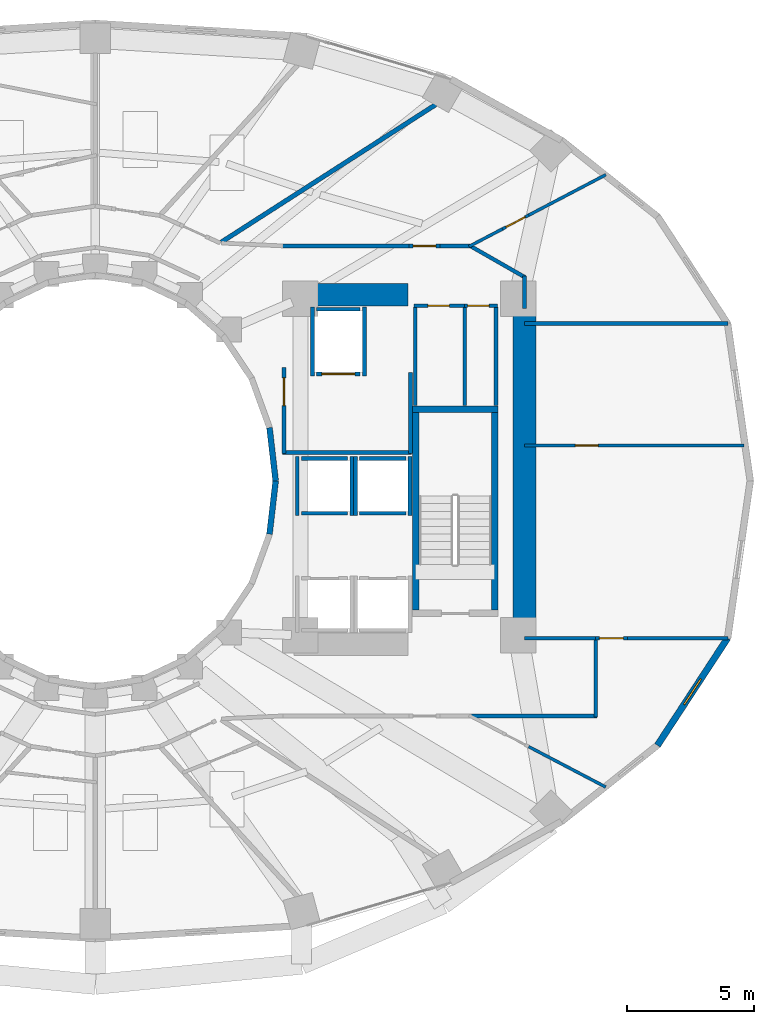
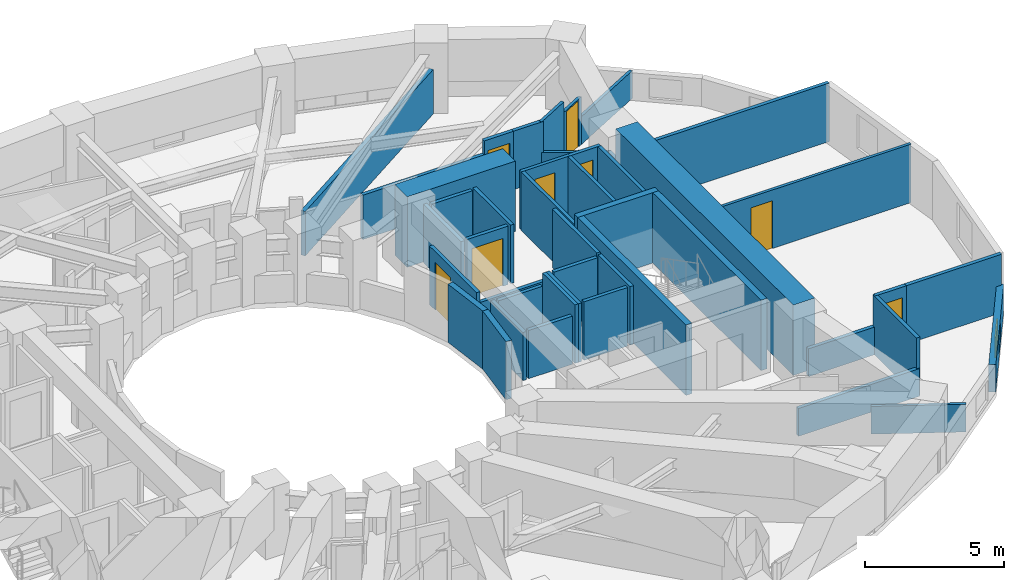
# One storey, part 13 of 17: 45 walls, 8 doors, 1 window, 9 openings.
"""IFC4 building model written with IfcOpenShell, lengths in metres."""

from ifc_helpers import new_model, si_unit, direction, frame, frame_2d, origin, place, context, subcontext, project, spatial, rectangle, extrude, material, layer, layer_set, type_object, element, fill, save


model = new_model("IFC4")

# Units and contexts
model_context = context("Model", 3, precision=1e-05, world=origin(), true_north=direction((0.0, 1.0)))
body_context = subcontext(model_context, "Body", "Model", "MODEL_VIEW")
ifc_project = project(units=[si_unit("LENGTHUNIT", "METRE"), si_unit("AREAUNIT", "SQUARE_METRE"), si_unit("VOLUMEUNIT", "CUBIC_METRE"), si_unit("PLANEANGLEUNIT", "RADIAN"), si_unit("MASSUNIT", "GRAM", prefix="KILO")], contexts=[model_context])

# Site, building, storey
site_placement = place(None, origin())
site = spatial("IfcSite", under=ifc_project, at=site_placement, CompositionType="ELEMENT")
building_placement = place(site_placement, origin())
building = spatial("IfcBuilding", under=site, at=building_placement, Name="Solvane Sanctuary Tower", CompositionType="ELEMENT")
storey_placement = place(building_placement, frame((0.0, 0.0, 52.39990234375)))
storey = spatial("IfcBuildingStorey", under=building, at=storey_placement, Name="L15", CompositionType="ELEMENT", Elevation=52.39990234375)

# Walls
ifc_material_1 = material(Name="Concrete C70/85", Category="concrete")
ifc_layer_1 = layer(ifc_material_1, 0.89990234375, Name="Concrete C70/85")
ifc_layer_set_1 = layer_set([ifc_layer_1], Name="Concrete C70/85")
wall_type_1 = type_object("IfcWallType", Name="Wall W-CORE-900", PredefinedType="SHEAR", material=ifc_layer_set_1)
wall_1_placement = place(storey_placement, frame((48.949951171875, 17.050048828125, 0.0), z_axis=(0.0, 0.0, 1.0), x_axis=(0.0, 1.0, 0.0)))
element("IfcWall", 1, at=wall_1_placement, inside=storey, type_object=wall_type_1, Name="L15 Core Shear Wall EC-E", PredefinedType="SHEAR", context=body_context, shape_type="SweptSolid", body=[
    extrude(rectangle(XDim=12.800048828125, YDim=0.89990234375, at=frame_2d((6.39990234375, 0.0))), origin(), (0.0, 0.0, 1.0), 3.10009765625),
])
wall_2_placement = place(storey_placement, frame((39.85009765625, 30.35009765625, 0.0), z_axis=(0.0, 0.0, 1.0), x_axis=(1.0, 0.0, 0.0)))
element("IfcWall", 2, at=wall_2_placement, inside=storey, type_object=wall_type_1, Name="L15 Core Shear Wall EC-N", PredefinedType="SHEAR", context=body_context, shape_type="SweptSolid", body=[
    extrude(rectangle(XDim=4.5, YDim=0.89990234375, at=frame_2d((2.25, 0.0))), origin(), (0.0, 0.0, 1.0), 3.10009765625),
])
ifc_material_2 = material(Name="Acoustic Gypsum Partition Board")
ifc_layer_2 = layer(ifc_material_2, 0.14990234375, Name="Acoustic Gypsum Partition Board")
ifc_layer_set_2 = layer_set([ifc_layer_2], Name="Acoustic Gypsum Partition Board")
wall_type_2 = type_object("IfcWallType", Name="Wall W-CORR-150", PredefinedType="PARTITIONING", material=ifc_layer_set_2)
wall_3_placement = place(storey_placement, frame((39.39990234375, 24.1201171875, 0.0), z_axis=(0.0, 0.0, 1.0), x_axis=(1.0, 0.0, 0.0)))
element("IfcWall", 3, at=wall_3_placement, inside=storey, type_object=wall_type_2, Name="L15 East Firefighting Lobby South Wall", PredefinedType="PARTITIONING", context=body_context, shape_type="SweptSolid", body=[
    extrude(rectangle(XDim=5.080078125, YDim=0.14990234375, at=frame_2d((2.5400390625, 0.0))), origin(), (0.0, 0.0, 1.0), 2.1201171875),
])
wall_4_placement = place(storey_placement, frame((44.449951171875, 24.080078125, 0.0), z_axis=(0.0, 0.0, 1.0), x_axis=(0.0, 1.0, 0.0)))
element("IfcWall", 4, at=wall_4_placement, inside=storey, type_object=wall_type_2, Name="L15 East Firefighting Lobby East Wall", PredefinedType="PARTITIONING", context=body_context, shape_type="SweptSolid", body=[
    extrude(rectangle(XDim=3.199951171875, YDim=0.14990234375, at=frame_2d((1.60009765625, 0.0))), origin(), (0.0, 0.0, 1.0), 2.5751953125),
])

# Wall, opening, door
wall_5_placement = place(storey_placement, frame((39.449951171875, 24.080078125, 0.0), z_axis=(0.0, 0.0, 1.0), x_axis=(0.0, 1.0, 0.0)))
wall_5 = element("IfcWall", 5, at=wall_5_placement, inside=storey, type_object=wall_type_2, Name="L15 East Firefighting Lobby West Wall", PredefinedType="PARTITIONING", context=body_context, shape_type="SweptSolid", body=[
    extrude(rectangle(XDim=3.39990234375, YDim=0.14990234375, at=frame_2d((1.699951171875, 0.0))), origin(), (0.0, 0.0, 1.0), 2.5751953125),
])
opening_1_placement = place(wall_5_placement, frame((1.893798828125, 0.0, 0.0)))
opening_1 = element("IfcOpeningElement", 6, at=opening_1_placement, cuts=wall_5, Name="Opening D-L15-05", PredefinedType="OPENING", context=body_context, shape_type="SweptSolid", body=[
    extrude(rectangle(XDim=1.10009765625, YDim=2.10009765625, at=frame_2d((0.550048828125, 1.050048828125))), frame((0.0, 0.0849609375, 0.0), z_axis=(0.0, -1.0, 0.0), x_axis=(1.0, 0.0, 0.0)), (0.0, 0.0, 1.0), 0.169921875),
])
ifc_material_3 = material(Name="Architectural Stainless Steel 316", Category="steel")
door_type_1 = type_object("IfcDoorType", Name="Door D-FFL", OperationType="NOTDEFINED", PredefinedType="DOOR", material=ifc_material_3)
door_1_placement = place(opening_1_placement, origin())
door_1 = element("IfcDoor", 7, at=door_1_placement, inside=storey, type_object=door_type_1, Name="L15 East Firefighting Lobby Fire Door", OperationType="SINGLE_SWING_RIGHT", OverallHeight=2.10009765625, OverallWidth=1.10009765625, PredefinedType="DOOR", context=body_context, shape_type="SweptSolid", body=[
    extrude(rectangle(XDim=1.10009765625, YDim=2.10009765625, at=frame_2d((0.550048828125, 1.050048828125))), frame((0.0, 0.02490234375, 0.0), z_axis=(0.0, -1.0, 0.0), x_axis=(1.0, 0.0, 0.0)), (0.0, 0.0, 1.0), 0.050048828125),
])
fill(opening_1, door_1)

# Wall
wall_6_placement = place(storey_placement, frame((48.949951171875, 16.788330078125, 0.0), z_axis=(0.0, 0.0, 1.0), x_axis=(1.0, 0.0, 0.0)))
element("IfcWall", 8, at=wall_6_placement, inside=storey, type_object=wall_type_2, Name="L15 East Shoulder South Wall", PredefinedType="PARTITIONING", context=body_context, shape_type="SweptSolid", body=[
    extrude(rectangle(XDim=2.79296875, YDim=0.14990234375, at=frame_2d((1.396484375, 0.0))), origin(), (0.0, 0.0, 1.0), 1.22021484375),
])

# Wall, opening, door
wall_7_placement = place(storey_placement, frame((51.742919921875, 16.788330078125, 0.0), z_axis=(0.0, 0.0, 1.0), x_axis=(1.0, 0.0, 0.0)))
wall_7 = element("IfcWall", 9, at=wall_7_placement, inside=storey, type_object=wall_type_2, Name="L15 East Shoulder South Wall", PredefinedType="PARTITIONING", context=body_context, shape_type="SweptSolid", body=[
    extrude(rectangle(XDim=1.27001953125, YDim=0.14990234375, at=frame_2d((0.635009765625, 0.0))), origin(), (0.0, 0.0, 1.0), 2.5751953125),
])
opening_2_placement = place(wall_7_placement, frame((0.159912109375, 0.0, 0.0)))
opening_2 = element("IfcOpeningElement", 10, at=opening_2_placement, cuts=wall_7, Name="Opening D-L15-10", PredefinedType="OPENING", context=body_context, shape_type="SweptSolid", body=[
    extrude(rectangle(XDim=0.949951171875, YDim=2.10009765625, at=frame_2d((0.47509765625, 1.050048828125))), frame((0.0, 0.0849609375, 0.0), z_axis=(0.0, -1.0, 0.0), x_axis=(1.0, 0.0, 0.0)), (0.0, 0.0, 1.0), 0.169921875),
])
ifc_material_4 = material(Name="Engineered Tropical Hardwood", Category="wood")
door_type_2 = type_object("IfcDoorType", Name="Door D-ROOM-950", OperationType="NOTDEFINED", PredefinedType="DOOR", material=ifc_material_4)
door_2_placement = place(opening_2_placement, origin())
door_2 = element("IfcDoor", 11, at=door_2_placement, inside=storey, type_object=door_type_2, Name="L15 East Shoulder South Door", OperationType="SINGLE_SWING_LEFT", OverallHeight=2.10009765625, OverallWidth=0.949951171875, PredefinedType="DOOR", context=body_context, shape_type="SweptSolid", body=[
    extrude(rectangle(XDim=0.949951171875, YDim=2.10009765625, at=frame_2d((0.47509765625, 1.050048828125))), frame((0.0, 0.02490234375, 0.0), z_axis=(0.0, -1.0, 0.0), x_axis=(1.0, 0.0, 0.0)), (0.0, 0.0, 1.0), 0.050048828125),
])
fill(opening_2, door_2)

# Walls
wall_8_placement = place(storey_placement, frame((53.012939453125, 16.788330078125, 0.0), z_axis=(0.0, 0.0, 1.0), x_axis=(1.0, 0.0, 0.0)))
element("IfcWall", 12, at=wall_8_placement, inside=storey, type_object=wall_type_2, Name="L15 East Shoulder South Wall", PredefinedType="PARTITIONING", context=body_context, shape_type="SweptSolid", body=[
    extrude(rectangle(XDim=3.973388671875, YDim=0.14990234375, at=frame_2d((1.98681640625, 0.0))), origin(), (0.0, 0.0, 1.0), 2.5751953125),
])
wall_9_placement = place(storey_placement, frame((48.949951171875, 29.211669921875, 0.0), z_axis=(0.0, 0.0, 1.0), x_axis=(1.0, 0.0, 0.0)))
element("IfcWall", 13, at=wall_9_placement, inside=storey, type_object=wall_type_2, Name="L15 East Shoulder North Wall", PredefinedType="PARTITIONING", context=body_context, shape_type="SweptSolid", body=[
    extrude(rectangle(XDim=8.036376953125, YDim=0.14990234375, at=frame_2d((4.01806640625, 0.0))), origin(), (0.0, 0.0, 1.0), 2.5751953125),
])
wall_10_placement = place(storey_placement, frame((48.949951171875, 29.800048828125, 0.0), z_axis=(0.0, 0.0, 1.0), x_axis=(0.0, 1.0, 0.0)))
element("IfcWall", 14, at=wall_10_placement, inside=storey, type_object=wall_type_2, Name="L15 NE Corner Closer 1", PredefinedType="PARTITIONING", context=body_context, shape_type="SweptSolid", body=[
    extrude(rectangle(XDim=1.2900390625, YDim=0.14990234375, at=frame_2d((0.64501953125, 0.0))), origin(), (0.0, 0.0, 1.0), 1.22021484375),
])
wall_11_placement = place(storey_placement, frame((39.330078125, 32.280029296875, 0.0), z_axis=(0.0, 0.0, 1.0), x_axis=(1.0, 0.0, 0.0)))
element("IfcWall", 15, at=wall_11_placement, inside=storey, type_object=wall_type_2, Name="L15 NE Corner Corridor Wall", PredefinedType="PARTITIONING", context=body_context, shape_type="SweptSolid", body=[
    extrude(rectangle(XDim=5.059814453125, YDim=0.14990234375, at=frame_2d((2.52978515625, 0.0))), origin(), (0.0, 0.0, 1.0), 1.95703125),
])

# Wall, opening, door
wall_12_placement = place(storey_placement, frame((44.389892578125, 32.280029296875, 0.0), z_axis=(0.0, 0.0, 1.0), x_axis=(1.0, 0.0, 0.0)))
wall_12 = element("IfcWall", 16, at=wall_12_placement, inside=storey, type_object=wall_type_2, Name="L15 NE Corner Corridor Wall", PredefinedType="PARTITIONING", context=body_context, shape_type="SweptSolid", body=[
    extrude(rectangle(XDim=1.22021484375, YDim=0.14990234375, at=frame_2d((0.610107421875, 0.0))), origin(), (0.0, 0.0, 1.0), 2.5751953125),
])
opening_3_placement = place(wall_12_placement, frame((0.159912109375, 0.0, 0.0)))
opening_3 = element("IfcOpeningElement", 17, at=opening_3_placement, cuts=wall_12, Name="Opening D-L15-14", PredefinedType="OPENING", context=body_context, shape_type="SweptSolid", body=[
    extrude(rectangle(XDim=0.89990234375, YDim=2.10009765625, at=frame_2d((0.449951171875, 1.050048828125))), frame((0.0, 0.0849609375, 0.0), z_axis=(0.0, -1.0, 0.0), x_axis=(1.0, 0.0, 0.0)), (0.0, 0.0, 1.0), 0.169921875),
])
door_type_3 = type_object("IfcDoorType", Name="Door D-WET-900", OperationType="NOTDEFINED", PredefinedType="DOOR", material=ifc_material_4)
door_3_placement = place(opening_3_placement, origin())
door_3 = element("IfcDoor", 18, at=door_3_placement, inside=storey, type_object=door_type_3, Name="L15 NE Corner Salon Door", OperationType="SINGLE_SWING_LEFT", OverallHeight=2.10009765625, OverallWidth=0.89990234375, PredefinedType="DOOR", context=body_context, shape_type="SweptSolid", body=[
    extrude(rectangle(XDim=0.89990234375, YDim=2.10009765625, at=frame_2d((0.449951171875, 1.050048828125))), frame((0.0, 0.02490234375, 0.0), z_axis=(0.0, -1.0, 0.0), x_axis=(1.0, 0.0, 0.0)), (0.0, 0.0, 1.0), 0.050048828125),
])
fill(opening_3, door_3)

# Walls
wall_13_placement = place(storey_placement, frame((45.610107421875, 32.280029296875, 0.0), z_axis=(0.0, 0.0, 1.0), x_axis=(1.0, 0.0, 0.0)))
element("IfcWall", 19, at=wall_13_placement, inside=storey, type_object=wall_type_2, Name="L15 NE Corner Corridor Wall", PredefinedType="PARTITIONING", context=body_context, shape_type="SweptSolid", body=[
    extrude(rectangle(XDim=1.239990234375, YDim=0.14990234375, at=frame_2d((0.6201171875, 0.0))), origin(), (0.0, 0.0, 1.0), 2.5751953125),
])
wall_14_placement = place(storey_placement, frame((46.756591796875, 32.3046875, 0.0), z_axis=(0.0, 0.0, 1.0), x_axis=(0.867991349648, -0.496579315857, 0.0)))
element("IfcWall", 20, at=wall_14_placement, inside=storey, type_object=wall_type_2, Name="L15 NE Corner Wing Wall", PredefinedType="PARTITIONING", context=body_context, shape_type="SweptSolid", body=[
    extrude(rectangle(XDim=2.56689453125, YDim=0.14990234375, at=frame_2d((1.283447265625, 0.0))), origin(), (0.0, 0.0, 1.0), 1.22021484375),
])
wall_15_placement = place(storey_placement, frame((51.760009765625, 13.679931640625, 0.0), z_axis=(0.0, 0.0, 1.0), x_axis=(0.0, 1.0, 0.0)))
element("IfcWall", 21, at=wall_15_placement, inside=storey, type_object=wall_type_2, Name="L15 SE Corner Closer 1", PredefinedType="PARTITIONING", context=body_context, shape_type="SweptSolid", body=[
    extrude(rectangle(XDim=3.1484375, YDim=0.14990234375, at=frame_2d((1.57421875, 0.0))), origin(), (0.0, 0.0, 1.0), 2.5751953125),
])
wall_16_placement = place(storey_placement, frame((46.75, 13.719970703125, 0.0), z_axis=(0.0, 0.0, 1.0), x_axis=(1.0, 0.0, 0.0)))
element("IfcWall", 22, at=wall_16_placement, inside=storey, type_object=wall_type_2, Name="L15 SE Corner Wing Wall", PredefinedType="PARTITIONING", context=body_context, shape_type="SweptSolid", body=[
    extrude(rectangle(XDim=5.050048828125, YDim=0.14990234375, at=frame_2d((2.52490234375, 0.0))), origin(), (0.0, 0.0, 1.0), 1.22021484375),
])

# Wall, opening, window
ifc_material_5 = material(Name="Precast concrete C40/50", Category="concrete")
ifc_layer_3 = layer(ifc_material_5, 0.260009765625, Name="Precast concrete C40/50")
ifc_layer_set_3 = layer_set([ifc_layer_3], Name="Precast concrete C40/50")
wall_type_3 = type_object("IfcWallType", Name="Wall W-EXT-250", PredefinedType="STANDARD", material=ifc_layer_set_3)
wall_17_placement = place(storey_placement, frame((54.19384765625, 12.55908203125, 0.0), z_axis=(0.0, 0.0, 1.0), x_axis=(0.547702757047, 0.836672988642, 0.0)))
wall_17 = element("IfcWall", 23, at=wall_17_placement, inside=storey, type_object=wall_type_3, Name="L15 Ceramic-Printed Facade Wall 22", PredefinedType="STANDARD", context=body_context, shape_type="SweptSolid", body=[
    extrude(rectangle(XDim=5.0625, YDim=0.260009765625, at=frame_2d((2.53125, 0.0))), origin(), (0.0, 0.0, 1.0), 1.22021484375),
])
opening_4_placement = place(wall_17_placement, frame((1.931396484375, 0.0, 0.14990234375)))
opening_4 = element("IfcOpeningElement", 24, at=opening_4_placement, cuts=wall_17, Name="Opening WN-OPER-1200", PredefinedType="OPENING", context=body_context, shape_type="SweptSolid", body=[
    extrude(rectangle(XDim=1.199951171875, YDim=0.89990234375, at=frame_2d((0.60009765625, 0.449951171875))), frame((0.0, 0.139892578125, 0.0), z_axis=(0.0, -1.0, 0.0), x_axis=(1.0, 0.0, 0.0)), (0.0, 0.0, 1.0), 0.280029296875),
])
ifc_material_6 = material(Name="Dark Ceramic-Fritted Low-E Glass", Category="glass")
window_type = type_object("IfcWindowType", Name="Window WN-OPER-1200", PartitioningType="SINGLE_PANEL", PredefinedType="WINDOW", material=ifc_material_6)
window_placement = place(opening_4_placement, origin())
window = element("IfcWindow", 25, at=window_placement, inside=storey, type_object=window_type, Name="L15 Operable Facade Window 22", OverallHeight=0.89990234375, OverallWidth=1.199951171875, PartitioningType="SINGLE_PANEL", PredefinedType="WINDOW", context=body_context, shape_type="SweptSolid", body=[
    extrude(rectangle(XDim=1.199951171875, YDim=0.89990234375, at=frame_2d((0.60009765625, 0.449951171875))), frame((0.0, 0.030029296875, 0.0), z_axis=(0.0, -1.0, 0.0), x_axis=(1.0, 0.0, 0.0)), (0.0, 0.0, 1.0), 0.06005859375),
])
fill(opening_4, window)

# Walls
ifc_layer_4 = layer(ifc_material_5, 0.22998046875, Name="Precast concrete C40/50")
ifc_layer_set_4 = layer_set([ifc_layer_4], Name="Precast concrete C40/50")
wall_type_4 = type_object("IfcWallType", Name="Wall W-EXT-SP220", PredefinedType="STANDARD", material=ifc_layer_set_4)
for number, where, z_axis, x_axis, name in (
    (26, (39.1201171875, 23.0, 0.0), (0.0, 0.0, 1.0), (-0.114711713601, 0.993398823617, 0.0), "L15 Central Light-Well Wall 00"),
    (27, (38.87744140625, 20.8984375, 0.0), (0.0, 0.0, 1.0), (0.114711713601, 0.993398823617, 0.0), "L15 Central Light-Well Wall 23"),
):
    element("IfcWall", number, at=place(storey_placement, frame(where, z_axis=z_axis, x_axis=x_axis)), inside=storey, type_object=wall_type_4, Name=name, PredefinedType="STANDARD", context=body_context, shape_type="SweptSolid", body=[
        extrude(rectangle(XDim=2.115478515625, YDim=0.22998046875, at=frame_2d((1.0576171875, 0.0))), origin(), (0.0, 0.0, 1.0), 2.56005859375),
    ])

# Wall, opening, door
ifc_layer_5 = layer(ifc_material_2, 0.1201171875, Name="Acoustic Gypsum Partition Board")
ifc_layer_set_5 = layer_set([ifc_layer_5], Name="Acoustic Gypsum Partition Board")
wall_type_5 = type_object("IfcWallType", Name="Wall W-MOV-100", PredefinedType="MOVABLE", material=ifc_layer_set_5)
wall_18_placement = place(storey_placement, frame((48.949951171875, 24.39990234375, 0.0), z_axis=(0.0, 0.0, 1.0), x_axis=(1.0, 0.0, 0.0)))
wall_18 = element("IfcWall", 28, at=wall_18_placement, inside=storey, type_object=wall_type_5, Name="L15 East Suite Partition", PredefinedType="MOVABLE", context=body_context, shape_type="SweptSolid", body=[
    extrude(rectangle(XDim=8.668701171875, YDim=0.1201171875, at=frame_2d((4.33447265625, 0.0))), origin(), (0.0, 0.0, 1.0), 2.5751953125),
])
opening_5_placement = place(wall_18_placement, frame((2.0, 0.0, 0.0)))
opening_5 = element("IfcOpeningElement", 29, at=opening_5_placement, cuts=wall_18, Name="Opening D-L15-11", PredefinedType="OPENING", context=body_context, shape_type="SweptSolid", body=[
    extrude(rectangle(XDim=0.89990234375, YDim=2.10009765625, at=frame_2d((0.449951171875, 1.050048828125))), frame((0.0, 0.070068359375, 0.0), z_axis=(0.0, -1.0, 0.0), x_axis=(1.0, 0.0, 0.0)), (0.0, 0.0, 1.0), 0.14013671875),
])
door_4_placement = place(opening_5_placement, origin())
door_4 = element("IfcDoor", 30, at=door_4_placement, inside=storey, type_object=door_type_3, Name="L15 East Suite Internal Door", OperationType="SINGLE_SWING_RIGHT", OverallHeight=2.10009765625, OverallWidth=0.89990234375, PredefinedType="DOOR", context=body_context, shape_type="SweptSolid", body=[
    extrude(rectangle(XDim=0.89990234375, YDim=2.10009765625, at=frame_2d((0.449951171875, 1.050048828125))), frame((0.0, 0.02490234375, 0.0), z_axis=(0.0, -1.0, 0.0), x_axis=(1.0, 0.0, 0.0)), (0.0, 0.0, 1.0), 0.050048828125),
])
fill(opening_5, door_4)

# Wall
wall_19_placement = place(storey_placement, frame((46.755615234375, 32.2568359375, 0.0), z_axis=(0.0, 0.0, 1.0), x_axis=(0.885552742751, 0.464538846391, 0.0)))
element("IfcWall", 31, at=wall_19_placement, inside=storey, type_object=wall_type_5, Name="L15 NE Corner Suite Partition", PredefinedType="MOVABLE", context=body_context, shape_type="SweptSolid", body=[
    extrude(rectangle(XDim=1.491943359375, YDim=0.1201171875, at=frame_2d((0.74609375, 0.0))), origin(), (0.0, 0.0, 1.0), 2.5751953125),
])

# Wall, opening, door
wall_20_placement = place(storey_placement, frame((48.076904296875, 32.949951171875, 0.0), z_axis=(0.0, 0.0, 1.0), x_axis=(0.885533150024, 0.464576194191, 0.0)))
wall_20 = element("IfcWall", 32, at=wall_20_placement, inside=storey, type_object=wall_type_5, Name="L15 NE Corner Suite Partition", PredefinedType="MOVABLE", context=body_context, shape_type="SweptSolid", body=[
    extrude(rectangle(XDim=1.169677734375, YDim=0.1201171875, at=frame_2d((0.5849609375, 0.0))), origin(), (0.0, 0.0, 1.0), 2.110107421875),
])
opening_6_placement = place(wall_20_placement, frame((0.159912109375, 0.0, 0.0)))
opening_6 = element("IfcOpeningElement", 33, at=opening_6_placement, cuts=wall_20, Name="Opening D-L15-13", PredefinedType="OPENING", context=body_context, shape_type="SweptSolid", body=[
    extrude(rectangle(XDim=0.85009765625, YDim=2.050048828125, at=frame_2d((0.425048828125, 1.02490234375))), frame((0.0, 0.070068359375, 0.0), z_axis=(0.0, -1.0, 0.0), x_axis=(1.0, 0.0, 0.0)), (0.0, 0.0, 1.0), 0.14013671875),
])
door_type_4 = type_object("IfcDoorType", Name="Door D-RISER", OperationType="NOTDEFINED", PredefinedType="DOOR", material=ifc_material_3)
door_5_placement = place(opening_6_placement, origin())
door_5 = element("IfcDoor", 34, at=door_5_placement, inside=storey, type_object=door_type_4, Name="L15 NE Corner Suite Door", OperationType="SINGLE_SWING_RIGHT", OverallHeight=2.050048828125, OverallWidth=0.85009765625, PredefinedType="DOOR", context=body_context, shape_type="SweptSolid", body=[
    extrude(rectangle(XDim=0.85009765625, YDim=2.050048828125, at=frame_2d((0.425048828125, 1.02490234375))), frame((0.0, 0.02490234375, 0.0), z_axis=(0.0, -1.0, 0.0), x_axis=(1.0, 0.0, 0.0)), (0.0, 0.0, 1.0), 0.050048828125),
])
fill(opening_6, door_5)

# Walls
for number, where, z_axis, x_axis, name in (
    (35, (49.11279296875, 33.493408203125, 0.0), (0.0, 0.0, 1.0), (0.885561599533, 0.464521962271, 0.0), "L15 NE Corner Suite Partition"),
    (36, (49.11279296875, 12.506591796875, 0.0), (0.0, 0.0, 1.0), (0.885561599533, -0.464521962271, 0.0), "L15 SE Corner Suite Partition"),
):
    element("IfcWall", number, at=place(storey_placement, frame(where, z_axis=z_axis, x_axis=x_axis)), inside=storey, type_object=wall_type_5, Name=name, PredefinedType="MOVABLE", context=body_context, shape_type="SweptSolid", body=[
        extrude(rectangle(XDim=3.436279296875, YDim=0.1201171875, at=frame_2d((1.71826171875, 0.0))), origin(), (0.0, 0.0, 1.0), 1.22021484375),
    ])
ifc_material_7 = material(Name="Concrete C50/60", Category="concrete")
ifc_layer_6 = layer(ifc_material_7, 0.14990234375, Name="Concrete C50/60")
ifc_layer_set_6 = layer_set([ifc_layer_6], Name="Concrete C50/60")
wall_type_6 = type_object("IfcWallType", Name="Wall W-SHAFT-150", PredefinedType="SOLIDWALL", material=ifc_layer_set_6)
for number, where, z_axis, x_axis, name in (
    (37, (42.43994140625, 21.719970703125, 0.0), (0.0, 0.0, 1.0), (1.0, 0.0, 0.0), "L15 PM-2 Lift Shaft Wall F"),
    (38, (42.43994140625, 23.8798828125, 0.0), (0.0, 0.0, 1.0), (1.0, 0.0, 0.0), "L15 PM-2 Lift Shaft Wall B"),
):
    element("IfcWall", number, at=place(storey_placement, frame(where, z_axis=z_axis, x_axis=x_axis)), inside=storey, type_object=wall_type_6, Name=name, PredefinedType="SOLIDWALL", context=body_context, shape_type="SweptSolid", body=[
        extrude(rectangle(XDim=1.820068359375, YDim=0.14990234375, at=frame_2d((0.91015625, 0.0))), origin(), (0.0, 0.0, 1.0), 2.5751953125),
    ])
for number, where, z_axis, x_axis, name in (
    (39, (42.27001953125, 21.639892578125, 0.0), (0.0, 0.0, 1.0), (0.0, 1.0, 0.0), "L15 PM-2 Lift Shaft Wall S1"),
    (40, (44.429931640625, 21.639892578125, 0.0), (0.0, 0.0, 1.0), (0.0, 1.0, 0.0), "L15 PM-2 Lift Shaft Wall S2"),
):
    element("IfcWall", number, at=place(storey_placement, frame(where, z_axis=z_axis, x_axis=x_axis)), inside=storey, type_object=wall_type_6, Name=name, PredefinedType="SOLIDWALL", context=body_context, shape_type="SweptSolid", body=[
        extrude(rectangle(XDim=2.320068359375, YDim=0.14990234375, at=frame_2d((1.16015625, 0.0))), origin(), (0.0, 0.0, 1.0), 2.5751953125),
    ])
for number, where, z_axis, x_axis, name in (
    (41, (40.139892578125, 21.719970703125, 0.0), (0.0, 0.0, 1.0), (1.0, 0.0, 0.0), "L15 PH-2 Lift Shaft Wall F"),
    (42, (40.139892578125, 23.8798828125, 0.0), (0.0, 0.0, 1.0), (1.0, 0.0, 0.0), "L15 PH-2 Lift Shaft Wall B"),
):
    element("IfcWall", number, at=place(storey_placement, frame(where, z_axis=z_axis, x_axis=x_axis)), inside=storey, type_object=wall_type_6, Name=name, PredefinedType="SOLIDWALL", context=body_context, shape_type="SweptSolid", body=[
        extrude(rectangle(XDim=1.820068359375, YDim=0.14990234375, at=frame_2d((0.91015625, 0.0))), origin(), (0.0, 0.0, 1.0), 2.1201171875),
    ])
wall_21_placement = place(storey_placement, frame((39.969970703125, 21.639892578125, 0.0), z_axis=(0.0, 0.0, 1.0), x_axis=(0.0, 1.0, 0.0)))
element("IfcWall", 43, at=wall_21_placement, inside=storey, type_object=wall_type_6, Name="L15 PH-2 Lift Shaft Wall S1", PredefinedType="SOLIDWALL", context=body_context, shape_type="SweptSolid", body=[
    extrude(rectangle(XDim=2.320068359375, YDim=0.14990234375, at=frame_2d((1.16015625, 0.0))), origin(), (0.0, 0.0, 1.0), 2.1201171875),
])
wall_22_placement = place(storey_placement, frame((42.1298828125, 21.639892578125, 0.0), z_axis=(0.0, 0.0, 1.0), x_axis=(0.0, 1.0, 0.0)))
element("IfcWall", 44, at=wall_22_placement, inside=storey, type_object=wall_type_6, Name="L15 PH-2 Lift Shaft Wall S2", PredefinedType="SOLIDWALL", context=body_context, shape_type="SweptSolid", body=[
    extrude(rectangle(XDim=2.320068359375, YDim=0.14990234375, at=frame_2d((1.16015625, 0.0))), origin(), (0.0, 0.0, 1.0), 2.5751953125),
])

# Wall, opening, door
wall_23_placement = place(storey_placement, frame((40.739990234375, 27.219970703125, 0.0), z_axis=(0.0, 0.0, 1.0), x_axis=(1.0, 0.0, 0.0)))
wall_23 = element("IfcWall", 45, at=wall_23_placement, inside=storey, type_object=wall_type_6, Name="L15 FFL-2 Lift Shaft Wall F", PredefinedType="SOLIDWALL", context=body_context, shape_type="SweptSolid", body=[
    extrude(rectangle(XDim=1.719970703125, YDim=0.14990234375, at=frame_2d((0.85986328125, 0.0))), origin(), (0.0, 0.0, 1.0), 2.5751953125),
])
opening_7_placement = place(wall_23_placement, frame((0.2099609375, 0.0, 0.0)))
opening_7 = element("IfcOpeningElement", 46, at=opening_7_placement, cuts=wall_23, Name="Opening LD-L15-07", PredefinedType="OPENING", context=body_context, shape_type="SweptSolid", body=[
    extrude(rectangle(XDim=1.300048828125, YDim=2.10009765625, at=frame_2d((0.64990234375, 1.050048828125))), frame((0.0, 0.0849609375, 0.0), z_axis=(0.0, -1.0, 0.0), x_axis=(1.0, 0.0, 0.0)), (0.0, 0.0, 1.0), 0.169921875),
])
door_type_5 = type_object("IfcDoorType", Name="Door LD-FFL-1300", OperationType="NOTDEFINED", PredefinedType="DOOR", material=ifc_material_3)
door_6_placement = place(opening_7_placement, origin())
door_6 = element("IfcDoor", 47, at=door_6_placement, inside=storey, type_object=door_type_5, Name="L15 FFL-2 Lift Landing Door", OperationType="DOUBLE_DOOR_SLIDING", OverallHeight=2.10009765625, OverallWidth=1.300048828125, PredefinedType="DOOR", context=body_context, shape_type="SweptSolid", body=[
    extrude(rectangle(XDim=1.300048828125, YDim=2.10009765625, at=frame_2d((0.64990234375, 1.050048828125))), frame((0.0, 0.02490234375, 0.0), z_axis=(0.0, -1.0, 0.0), x_axis=(1.0, 0.0, 0.0)), (0.0, 0.0, 1.0), 0.050048828125),
])
fill(opening_7, door_6)

# Walls
wall_24_placement = place(storey_placement, frame((40.739990234375, 29.780029296875, 0.0), z_axis=(0.0, 0.0, 1.0), x_axis=(1.0, 0.0, 0.0)))
element("IfcWall", 48, at=wall_24_placement, inside=storey, type_object=wall_type_6, Name="L15 FFL-2 Lift Shaft Wall B", PredefinedType="SOLIDWALL", context=body_context, shape_type="SweptSolid", body=[
    extrude(rectangle(XDim=1.719970703125, YDim=0.14990234375, at=frame_2d((0.85986328125, 0.0))), origin(), (0.0, 0.0, 1.0), 2.5751953125),
])
for number, where, z_axis, x_axis, name in (
    (49, (40.570068359375, 27.139892578125, 0.0), (0.0, 0.0, 1.0), (0.0, 1.0, 0.0), "L15 FFL-2 Lift Shaft Wall S1"),
    (50, (42.6298828125, 27.139892578125, 0.0), (0.0, 0.0, 1.0), (0.0, 1.0, 0.0), "L15 FFL-2 Lift Shaft Wall S2"),
):
    element("IfcWall", number, at=place(storey_placement, frame(where, z_axis=z_axis, x_axis=x_axis)), inside=storey, type_object=wall_type_6, Name=name, PredefinedType="SOLIDWALL", context=body_context, shape_type="SweptSolid", body=[
        extrude(rectangle(XDim=2.72021484375, YDim=0.14990234375, at=frame_2d((1.360107421875, 0.0))), origin(), (0.0, 0.0, 1.0), 2.5751953125),
    ])
ifc_layer_7 = layer(ifc_material_7, 0.25, Name="Concrete C50/60")
ifc_layer_set_7 = layer_set([ifc_layer_7], Name="Concrete C50/60")
wall_type_7 = type_object("IfcWallType", Name="Wall W-SHAFT-250", PredefinedType="SOLIDWALL", material=ifc_layer_set_7)
wall_25_placement = place(storey_placement, frame((44.52490234375, 25.830078125, 0.0), z_axis=(0.0, 0.0, 1.0), x_axis=(1.0, 0.0, 0.0)))
element("IfcWall", 51, at=wall_25_placement, inside=storey, type_object=wall_type_7, Name="L15 ST-2 Load-Bearing Shaft Wall N", PredefinedType="SOLIDWALL", context=body_context, shape_type="SweptSolid", body=[
    extrude(rectangle(XDim=3.3701171875, YDim=0.25, at=frame_2d((1.68505859375, 0.0))), origin(), (0.0, 0.0, 1.0), 3.10009765625),
])
for number, where, z_axis, x_axis, name in (
    (52, (44.64990234375, 17.89501953125, 0.0), (0.0, 0.0, 1.0), (0.0, 1.0, 0.0), "L15 ST-2 Load-Bearing Shaft Wall W"),
    (53, (47.77001953125, 17.89501953125, 0.0), (0.0, 0.0, 1.0), (0.0, 1.0, 0.0), "L15 ST-2 Load-Bearing Shaft Wall E"),
):
    element("IfcWall", number, at=place(storey_placement, frame(where, z_axis=z_axis, x_axis=x_axis)), inside=storey, type_object=wall_type_7, Name=name, PredefinedType="SOLIDWALL", context=body_context, shape_type="SweptSolid", body=[
        extrude(rectangle(XDim=7.81005859375, YDim=0.25, at=frame_2d((3.905029296875, 0.0))), origin(), (0.0, 0.0, 1.0), 3.10009765625),
    ])
ifc_layer_8 = layer(ifc_material_2, 0.179931640625, Name="Acoustic Gypsum Partition Board")
ifc_layer_set_8 = layer_set([ifc_layer_8], Name="Acoustic Gypsum Partition Board")
wall_type_8 = type_object("IfcWallType", Name="Wall W-UNIT-180", PredefinedType="PARTITIONING", material=ifc_layer_set_8)
wall_26_placement = place(storey_placement, frame((36.97119140625, 32.426025390625, 0.0), z_axis=(0.0, 0.0, 1.0), x_axis=(0.841689919529, 0.5399611832, 0.0)))
element("IfcWall", 54, at=wall_26_placement, inside=storey, type_object=wall_type_8, Name="L15 Radial Compartment Wall 060", PredefinedType="PARTITIONING", context=body_context, shape_type="SweptSolid", body=[
    extrude(rectangle(XDim=10.058349609375, YDim=0.179931640625, at=frame_2d((5.029296875, 0.0))), origin(), (0.0, 0.0, 1.0), 1.95703125),
])

# Wall, opening, door
ifc_layer_9 = layer(ifc_material_2, 0.139892578125, Name="Acoustic Gypsum Partition Board")
ifc_layer_set_9 = layer_set([ifc_layer_9], Name="Acoustic Gypsum Partition Board")
wall_type_9 = type_object("IfcWallType", Name="Wall W-WET-140", PredefinedType="PLUMBINGWALL", material=ifc_layer_set_9)
wall_27_placement = place(storey_placement, frame((44.580078125, 29.919921875, 0.0), z_axis=(0.0, 0.0, 1.0), x_axis=(1.0, 0.0, 0.0)))
wall_27 = element("IfcWall", 55, at=wall_27_placement, inside=storey, type_object=wall_type_9, Name="L15 Core Service Front Wall KE1", PredefinedType="PLUMBINGWALL", context=body_context, shape_type="SweptSolid", body=[
    extrude(rectangle(XDim=2.0, YDim=0.139892578125, at=frame_2d((1.0, 0.0))), origin(), (0.0, 0.0, 1.0), 2.5751953125),
])
opening_8_placement = place(wall_27_placement, frame((0.550048828125, 0.0, 0.0)))
opening_8 = element("IfcOpeningElement", 56, at=opening_8_placement, cuts=wall_27, Name="Opening D-L15-08", PredefinedType="OPENING", context=body_context, shape_type="SweptSolid", body=[
    extrude(rectangle(XDim=0.85009765625, YDim=2.050048828125, at=frame_2d((0.425048828125, 1.02490234375))), frame((0.0, 0.079833984375, 0.0), z_axis=(0.0, -1.0, 0.0), x_axis=(1.0, 0.0, 0.0)), (0.0, 0.0, 1.0), 0.159912109375),
])
door_7_placement = place(opening_8_placement, origin())
door_7 = element("IfcDoor", 57, at=door_7_placement, inside=storey, type_object=door_type_4, Name="L15 Core Service Room Door KE1-1", OperationType="SINGLE_SWING_LEFT", OverallHeight=2.050048828125, OverallWidth=0.85009765625, PredefinedType="DOOR", context=body_context, shape_type="SweptSolid", body=[
    extrude(rectangle(XDim=0.85009765625, YDim=2.050048828125, at=frame_2d((0.425048828125, 1.02490234375))), frame((0.0, 0.02490234375, 0.0), z_axis=(0.0, -1.0, 0.0), x_axis=(1.0, 0.0, 0.0)), (0.0, 0.0, 1.0), 0.050048828125),
])
fill(opening_8, door_7)

# Walls
for number, where, z_axis, x_axis, name in (
    (58, (44.639892578125, 25.97998046875, 0.0), (0.0, 0.0, 1.0), (0.0, 1.0, 0.0), "L15 Core Service Side Wall KE1-1"),
    (59, (46.580078125, 25.97998046875, 0.0), (0.0, 0.0, 1.0), (0.0, 1.0, 0.0), "L15 Core Service Side Wall KE1-2"),
):
    element("IfcWall", number, at=place(storey_placement, frame(where, z_axis=z_axis, x_axis=x_axis)), inside=storey, type_object=wall_type_9, Name=name, PredefinedType="PLUMBINGWALL", context=body_context, shape_type="SweptSolid", body=[
        extrude(rectangle(XDim=3.880126953125, YDim=0.139892578125, at=frame_2d((1.93994140625, 0.0))), origin(), (0.0, 0.0, 1.0), 2.5751953125),
    ])

# Wall, opening, door
wall_28_placement = place(storey_placement, frame((46.580078125, 29.919921875, 0.0), z_axis=(0.0, 0.0, 1.0), x_axis=(1.0, 0.0, 0.0)))
wall_28 = element("IfcWall", 60, at=wall_28_placement, inside=storey, type_object=wall_type_9, Name="L15 Core Service Front Wall KE2", PredefinedType="PLUMBINGWALL", context=body_context, shape_type="SweptSolid", body=[
    extrude(rectangle(XDim=1.2998046875, YDim=0.139892578125, at=frame_2d((0.64990234375, 0.0))), origin(), (0.0, 0.0, 1.0), 2.5751953125),
])
opening_9_placement = place(wall_28_placement, frame((0.1201171875, 0.0, 0.0)))
opening_9 = element("IfcOpeningElement", 61, at=opening_9_placement, cuts=wall_28, Name="Opening D-L15-09", PredefinedType="OPENING", context=body_context, shape_type="SweptSolid", body=[
    extrude(rectangle(XDim=0.85009765625, YDim=2.050048828125, at=frame_2d((0.425048828125, 1.02490234375))), frame((0.0, 0.079833984375, 0.0), z_axis=(0.0, -1.0, 0.0), x_axis=(1.0, 0.0, 0.0)), (0.0, 0.0, 1.0), 0.159912109375),
])
door_8_placement = place(opening_9_placement, origin())
door_8 = element("IfcDoor", 62, at=door_8_placement, inside=storey, type_object=door_type_4, Name="L15 Core Service Room Door KE2-1", OperationType="SINGLE_SWING_RIGHT", OverallHeight=2.050048828125, OverallWidth=0.85009765625, PredefinedType="DOOR", context=body_context, shape_type="SweptSolid", body=[
    extrude(rectangle(XDim=0.85009765625, YDim=2.050048828125, at=frame_2d((0.425048828125, 1.02490234375))), frame((0.0, 0.02490234375, 0.0), z_axis=(0.0, -1.0, 0.0), x_axis=(1.0, 0.0, 0.0)), (0.0, 0.0, 1.0), 0.050048828125),
])
fill(opening_9, door_8)

# Wall
wall_29_placement = place(storey_placement, frame((47.820068359375, 25.97998046875, 0.0), z_axis=(0.0, 0.0, 1.0), x_axis=(0.0, 1.0, 0.0)))
element("IfcWall", 63, at=wall_29_placement, inside=storey, type_object=wall_type_9, Name="L15 Core Service Side Wall KE2-1", PredefinedType="PLUMBINGWALL", context=body_context, shape_type="SweptSolid", body=[
    extrude(rectangle(XDim=3.880126953125, YDim=0.139892578125, at=frame_2d((1.93994140625, 0.0))), origin(), (0.0, 0.0, 1.0), 2.5751953125),
])

save(model, "model.ifc")
